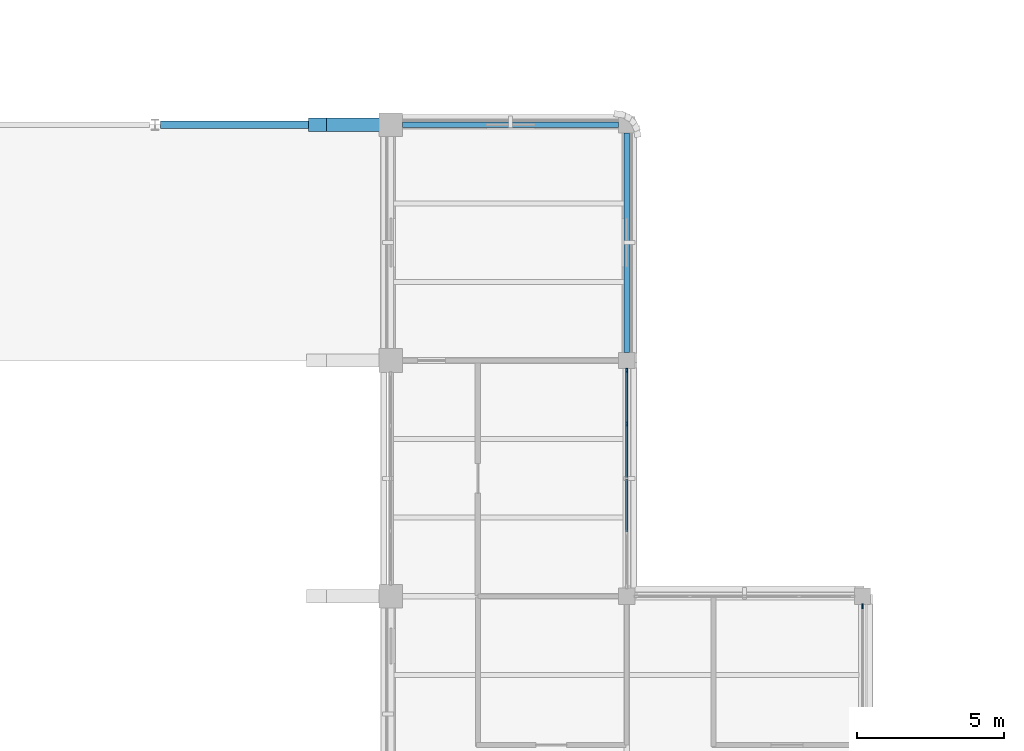
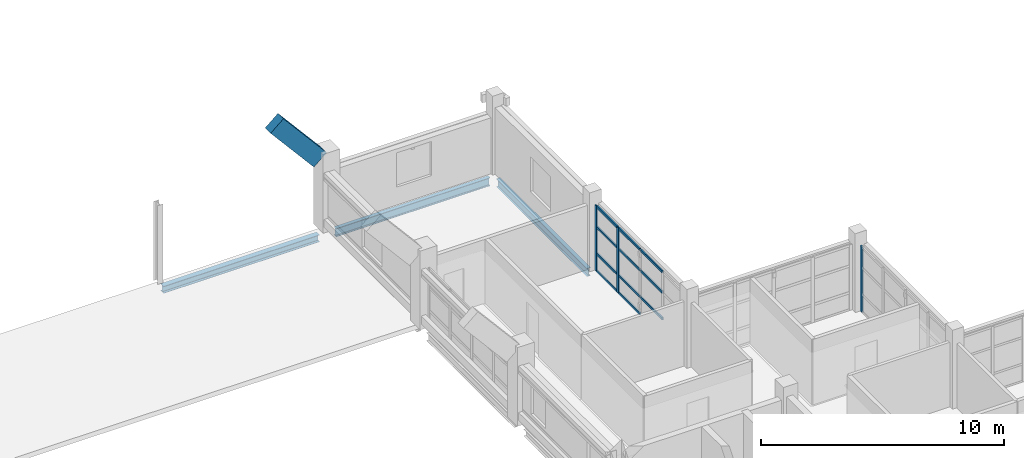
# One storey, part 33 of 92: 14 members, 4 beams, 2 elements without a shape of their own.
"""IFC4 building model written with IfcOpenShell, lengths in metres."""

from ifc_helpers import new_model, si_unit, derived_unit, direction, frame, origin, origin_2d, place, context, subcontext, project, spatial, rectangle, i_section, extrude, material, layer, layer_set, material_profile, profile_set, type_object, element, aggregate, save


model = new_model("IFC4")

# Units and contexts
model_context = context("Model", 3, precision=1e-05, world=origin(), true_north=direction((0.0, 1.0)))
body_context = subcontext(model_context, "Body", "Model", "MODEL_VIEW")
ifc_project = project(units=[si_unit("LENGTHUNIT", "METRE"), si_unit("AREAUNIT", "SQUARE_METRE"), si_unit("VOLUMEUNIT", "CUBIC_METRE"), si_unit("PLANEANGLEUNIT", "RADIAN"), si_unit("MASSUNIT", "GRAM", prefix="KILO"), derived_unit("THERMALTRANSMITTANCEUNIT", [(si_unit("MASSUNIT", "GRAM", prefix="KILO"), 1), (si_unit("TIMEUNIT", "SECOND"), -3), (si_unit("THERMODYNAMICTEMPERATUREUNIT", "KELVIN"), -1)])], contexts=[model_context])

# Site, building, storey
site_placement = place(None, origin())
site = spatial("IfcSite", under=ifc_project, at=site_placement, CompositionType="ELEMENT")
building_placement = place(site_placement, origin())
building = spatial("IfcBuilding", under=site, at=building_placement, Name="Veyamyaing Civic Hall", CompositionType="ELEMENT")
storey_placement = place(building_placement, frame((0.0, 0.0, 17.820068359375)))
storey = spatial("IfcBuildingStorey", under=building, at=storey_placement, Name="L04", CompositionType="ELEMENT", Elevation=17.820068359375)

# Beams
ifc_material_1 = material(Name="Steel ASTM A992", Category="steel")
ifc_material_profile_1 = material_profile(ifc_material_1, i_section(OverallWidth=0.179931640625, OverallDepth=0.4130859375, WebThickness=0.009765625, FlangeThickness=0.01611328125, FilletRadius=0.010009765625, at=origin_2d()), Name="W410X74")
ifc_profile_set_1 = profile_set([ifc_material_profile_1], Name="Steel ASTM A992")
beam_type_1 = type_object("IfcBeamType", Name="B-10", PredefinedType="SPANDREL", material=ifc_profile_set_1)
beam_1_placement = place(storey_placement, frame((104.39990234375, 80.0, -0.441650390625), z_axis=(1.0, 0.0, 0.0), x_axis=(0.0, 1.0, 0.0)))
element("IfcBeam", 1, at=beam_1_placement, inside=storey, type_object=beam_type_1, Name="Girder B-10 L04 Grid L 14-15", PredefinedType="SPANDREL", context=body_context, shape_type="SweptSolid", body=[
    extrude(i_section(OverallWidth=0.179931640625, OverallDepth=0.4130859375, WebThickness=0.009765625, FlangeThickness=0.01611328125, FilletRadius=0.010009765625, at=origin_2d()), origin(), (0.0, 0.0, 1.0), 7.3251953125),
])
beam_2_placement = place(storey_placement, frame((112.0, 72.27490234375, -0.441650390625), z_axis=(0.0, 1.0, 0.0), x_axis=(-1.0, 0.0, 0.0)))
element("IfcBeam", 2, at=beam_2_placement, inside=storey, type_object=beam_type_1, Name="Girder B-10 L04 Grid 15 K-L", PredefinedType="SPANDREL", context=body_context, shape_type="SweptSolid", body=[
    extrude(i_section(OverallWidth=0.179931640625, OverallDepth=0.4130859375, WebThickness=0.009765625, FlangeThickness=0.01611328125, FilletRadius=0.010009765625, at=origin_2d()), origin(), (0.0, 0.0, 1.0), 7.4501953125),
])
ifc_material_profile_2 = material_profile(ifc_material_1, i_section(OverallWidth=0.25390625, OverallDepth=0.35302734375, WebThickness=0.009521484375, FlangeThickness=0.016357421875, FilletRadius=0.011962890625, at=origin_2d()), Name="W360X91")
ifc_profile_set_2 = profile_set([ifc_material_profile_2], Name="Steel ASTM A992")
beam_type_2 = type_object("IfcBeamType", Name="B-20", PredefinedType="SPANDREL", material=ifc_profile_set_2)
beam_3_placement = place(storey_placement, frame((96.1845703125, 80.0, -0.41650390625), z_axis=(1.0, 0.0, 0.0), x_axis=(0.0, 1.0, 0.0)))
element("IfcBeam", 3, at=beam_3_placement, inside=storey, type_object=beam_type_2, Name="Girder B-20 L04 Grid L 13-14", PredefinedType="SPANDREL", context=body_context, shape_type="SweptSolid", body=[
    extrude(i_section(OverallWidth=0.25390625, OverallDepth=0.35302734375, WebThickness=0.009521484375, FlangeThickness=0.016357421875, FilletRadius=0.011962890625, at=origin_2d()), origin(), (0.0, 0.0, 1.0), 7.41552734375),
])

# Curtain wall, members
ifc_material_2 = material(Name="Anodised aluminium 6063-T6", Category="aluminium")
ifc_layer = layer(ifc_material_2, 0.159912109375, Name="Anodised aluminium 6063-T6")
ifc_layer_set = layer_set([ifc_layer], Name="Anodised aluminium 6063-T6")
curtain_wall_type = type_object("IfcCurtainWallType", Name="CW-08", PredefinedType="NOTDEFINED", material=ifc_layer_set)
curtain_wall_1_placement = place(storey_placement, origin())
curtain_wall_1 = element("IfcCurtainWall", 4, at=curtain_wall_1_placement, inside=storey, type_object=curtain_wall_type, Name="Unitized curtain wall CW-08 L04 E 14.9", PredefinedType="NOTDEFINED")
ifc_material_profile_3 = material_profile(ifc_material_2, rectangle(XDim=0.06494140625, YDim=0.159912109375, at=origin_2d()), Name="ALU-MUL-65X160")
ifc_profile_set_3 = profile_set([ifc_material_profile_3], Name="Anodised aluminium 6063-T6")
member_type_1 = type_object("IfcMemberType", Name="CWM-01", PredefinedType="MULLION", material=ifc_profile_set_3)
member_1_placement = place(storey_placement, frame((112.0, 69.847412109375, 0.0), z_axis=(0.0, 0.0, 1.0), x_axis=(-1.0, 0.0, 0.0)))
member_1 = element("IfcMember", 5, at=member_1_placement, type_object=member_type_1, Name="CW-08 mullion 4", PredefinedType="MULLION", context=body_context, shape_type="SweptSolid", body=[
    extrude(rectangle(XDim=0.06494140625, YDim=0.159912109375, at=origin_2d()), origin(), (0.0, 0.0, 1.0), 3.288818359375),
])
member_2_placement = place(storey_placement, frame((112.0, 71.66259765625, 0.0), z_axis=(0.0, 0.0, 1.0), x_axis=(-1.0, 0.0, 0.0)))
member_2 = element("IfcMember", 6, at=member_2_placement, type_object=member_type_1, Name="CW-08 mullion 5", PredefinedType="MULLION", context=body_context, shape_type="SweptSolid", body=[
    extrude(rectangle(XDim=0.06494140625, YDim=0.159912109375, at=origin_2d()), origin(), (0.0, 0.0, 1.0), 3.288818359375),
])

# Curtain wall, member
curtain_wall_2_placement = place(storey_placement, origin())
curtain_wall_2 = element("IfcCurtainWall", 7, at=curtain_wall_2_placement, inside=storey, type_object=curtain_wall_type, Name="Unitized curtain wall CW-08 L04 E 15.8", PredefinedType="NOTDEFINED")
member_3_placement = place(storey_placement, frame((120.0, 63.66259765625, 0.0), z_axis=(0.0, 0.0, 1.0), x_axis=(-1.0, 0.0, 0.0)))
member_3 = element("IfcMember", 8, at=member_3_placement, type_object=member_type_1, Name="CW-08 mullion 5", PredefinedType="MULLION", context=body_context, shape_type="SweptSolid", body=[
    extrude(rectangle(XDim=0.06494140625, YDim=0.159912109375, at=origin_2d()), origin(), (0.0, 0.0, 1.0), 3.288818359375),
])
aggregate(curtain_wall_2, [member_3])

# Member
ifc_material_profile_4 = material_profile(ifc_material_2, rectangle(XDim=0.06494140625, YDim=0.1201171875, at=origin_2d()), Name="ALU-TRN-65X120")
ifc_profile_set_4 = profile_set([ifc_material_profile_4], Name="Anodised aluminium 6063-T6")
member_type_2 = type_object("IfcMemberType", Name="CWT-01", PredefinedType="USERDEFINED", material=ifc_profile_set_4)
member_4_placement = place(storey_placement, frame((112.0, 66.18505859375, 0.89990234375), z_axis=(0.0, 1.0, 0.0), x_axis=(-1.0, 0.0, 0.0)))
member_4 = element("IfcMember", 9, at=member_4_placement, type_object=member_type_2, Name="CW-08 transom 2.2", ObjectType="TRANSOM", PredefinedType="USERDEFINED", context=body_context, shape_type="SweptSolid", body=[
    extrude(rectangle(XDim=0.06494140625, YDim=0.1201171875, at=origin_2d()), origin(), (0.0, 0.0, 1.0), 1.782470703125),
])

member_5_placement = place(storey_placement, frame((112.0, 66.18505859375, 2.236328125), z_axis=(0.0, 1.0, 0.0), x_axis=(-1.0, 0.0, 0.0)))
member_5 = element("IfcMember", 10, at=member_5_placement, type_object=member_type_2, Name="CW-08 transom 2.3", ObjectType="TRANSOM", PredefinedType="USERDEFINED", context=body_context, shape_type="SweptSolid", body=[
    extrude(rectangle(XDim=0.06494140625, YDim=0.1201171875, at=origin_2d()), origin(), (0.0, 0.0, 1.0), 1.782470703125),
])

member_6_placement = place(storey_placement, frame((112.0, 66.18505859375, 3.25634765625), z_axis=(0.0, 1.0, 0.0), x_axis=(-1.0, 0.0, 0.0)))
member_6 = element("IfcMember", 11, at=member_6_placement, type_object=member_type_2, Name="CW-08 transom 2.4", ObjectType="TRANSOM", PredefinedType="USERDEFINED", context=body_context, shape_type="SweptSolid", body=[
    extrude(rectangle(XDim=0.06494140625, YDim=0.1201171875, at=origin_2d()), origin(), (0.0, 0.0, 1.0), 1.782470703125),
])

member_7_placement = place(storey_placement, frame((112.0, 68.032470703125, 0.032470703125), z_axis=(0.0, 1.0, 0.0), x_axis=(-1.0, 0.0, 0.0)))
member_7 = element("IfcMember", 12, at=member_7_placement, type_object=member_type_2, Name="CW-08 transom 3.1", ObjectType="TRANSOM", PredefinedType="USERDEFINED", context=body_context, shape_type="SweptSolid", body=[
    extrude(rectangle(XDim=0.06494140625, YDim=0.1201171875, at=origin_2d()), origin(), (0.0, 0.0, 1.0), 1.782470703125),
])

member_8_placement = place(storey_placement, frame((112.0, 68.032470703125, 0.89990234375), z_axis=(0.0, 1.0, 0.0), x_axis=(-1.0, 0.0, 0.0)))
member_8 = element("IfcMember", 13, at=member_8_placement, type_object=member_type_2, Name="CW-08 transom 3.2", ObjectType="TRANSOM", PredefinedType="USERDEFINED", context=body_context, shape_type="SweptSolid", body=[
    extrude(rectangle(XDim=0.06494140625, YDim=0.1201171875, at=origin_2d()), origin(), (0.0, 0.0, 1.0), 1.782470703125),
])

member_9_placement = place(storey_placement, frame((112.0, 68.032470703125, 2.236328125), z_axis=(0.0, 1.0, 0.0), x_axis=(-1.0, 0.0, 0.0)))
member_9 = element("IfcMember", 14, at=member_9_placement, type_object=member_type_2, Name="CW-08 transom 3.3", ObjectType="TRANSOM", PredefinedType="USERDEFINED", context=body_context, shape_type="SweptSolid", body=[
    extrude(rectangle(XDim=0.06494140625, YDim=0.1201171875, at=origin_2d()), origin(), (0.0, 0.0, 1.0), 1.782470703125),
])

member_10_placement = place(storey_placement, frame((112.0, 68.032470703125, 3.25634765625), z_axis=(0.0, 1.0, 0.0), x_axis=(-1.0, 0.0, 0.0)))
member_10 = element("IfcMember", 15, at=member_10_placement, type_object=member_type_2, Name="CW-08 transom 3.4", ObjectType="TRANSOM", PredefinedType="USERDEFINED", context=body_context, shape_type="SweptSolid", body=[
    extrude(rectangle(XDim=0.06494140625, YDim=0.1201171875, at=origin_2d()), origin(), (0.0, 0.0, 1.0), 1.782470703125),
])

member_11_placement = place(storey_placement, frame((112.0, 69.8798828125, 0.032470703125), z_axis=(0.0, 1.0, 0.0), x_axis=(-1.0, 0.0, 0.0)))
member_11 = element("IfcMember", 16, at=member_11_placement, type_object=member_type_2, Name="CW-08 transom 4.1", ObjectType="TRANSOM", PredefinedType="USERDEFINED", context=body_context, shape_type="SweptSolid", body=[
    extrude(rectangle(XDim=0.06494140625, YDim=0.1201171875, at=origin_2d()), origin(), (0.0, 0.0, 1.0), 1.75),
])

member_12_placement = place(storey_placement, frame((112.0, 69.8798828125, 0.89990234375), z_axis=(0.0, 1.0, 0.0), x_axis=(-1.0, 0.0, 0.0)))
member_12 = element("IfcMember", 17, at=member_12_placement, type_object=member_type_2, Name="CW-08 transom 4.2", ObjectType="TRANSOM", PredefinedType="USERDEFINED", context=body_context, shape_type="SweptSolid", body=[
    extrude(rectangle(XDim=0.06494140625, YDim=0.1201171875, at=origin_2d()), origin(), (0.0, 0.0, 1.0), 1.75),
])

member_13_placement = place(storey_placement, frame((112.0, 69.8798828125, 2.236328125), z_axis=(0.0, 1.0, 0.0), x_axis=(-1.0, 0.0, 0.0)))
member_13 = element("IfcMember", 18, at=member_13_placement, type_object=member_type_2, Name="CW-08 transom 4.3", ObjectType="TRANSOM", PredefinedType="USERDEFINED", context=body_context, shape_type="SweptSolid", body=[
    extrude(rectangle(XDim=0.06494140625, YDim=0.1201171875, at=origin_2d()), origin(), (0.0, 0.0, 1.0), 1.75),
])

member_14_placement = place(storey_placement, frame((112.0, 69.8798828125, 3.25634765625), z_axis=(0.0, 1.0, 0.0), x_axis=(-1.0, 0.0, 0.0)))
member_14 = element("IfcMember", 19, at=member_14_placement, type_object=member_type_2, Name="CW-08 transom 4.4", ObjectType="TRANSOM", PredefinedType="USERDEFINED", context=body_context, shape_type="SweptSolid", body=[
    extrude(rectangle(XDim=0.06494140625, YDim=0.1201171875, at=origin_2d()), origin(), (0.0, 0.0, 1.0), 1.75),
])

aggregate(curtain_wall_1, [member_1, member_2, member_4, member_5, member_6, member_7, member_8, member_9, member_10, member_11, member_12, member_13, member_14])

# Beam
ifc_material_3 = material(Name="Concrete C40/50", Category="concrete")
ifc_material_profile_5 = material_profile(ifc_material_3, rectangle(XDim=0.449951171875, YDim=0.800048828125, at=origin_2d()), Name="RC-ARCH-450X800")
ifc_profile_set_5 = profile_set([ifc_material_profile_5], Name="Concrete C40/50")
beam_type_3 = type_object("IfcBeamType", Name="VR-02", PredefinedType="BEAM", material=ifc_profile_set_5)
beam_4_placement = place(storey_placement, frame((101.5166015625, 80.0, 6.0166015625), z_axis=(0.647670737377, 0.0, -0.761920347507), x_axis=(0.0, 1.0, 0.0)))
element("IfcBeam", 20, at=beam_4_placement, inside=storey, type_object=beam_type_3, Name="Council Chamber Vault Arch Rib VR-02 R8.F11", PredefinedType="BEAM", context=body_context, shape_type="SweptSolid", body=[
    extrude(rectangle(XDim=0.449951171875, YDim=0.800048828125, at=origin_2d()), origin(), (0.0, 0.0, 1.0), 3.175537109375),
])

save(model, "model.ifc")
